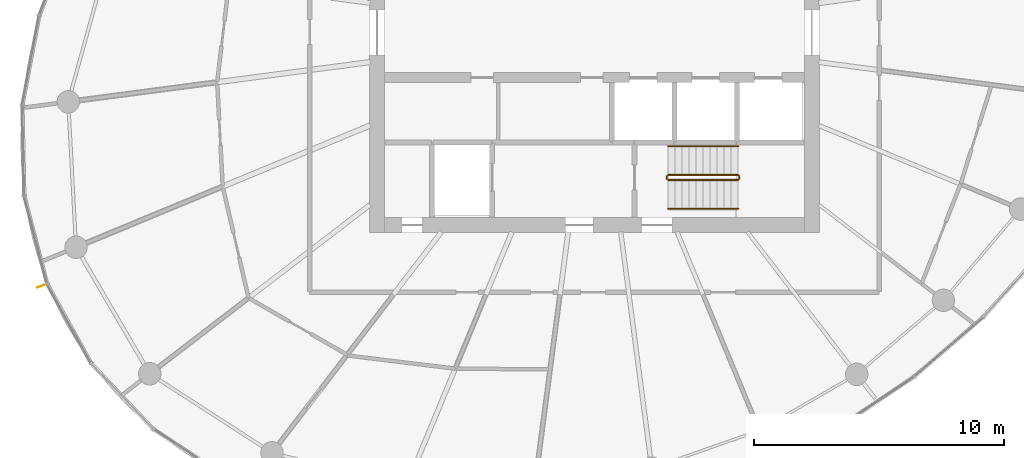
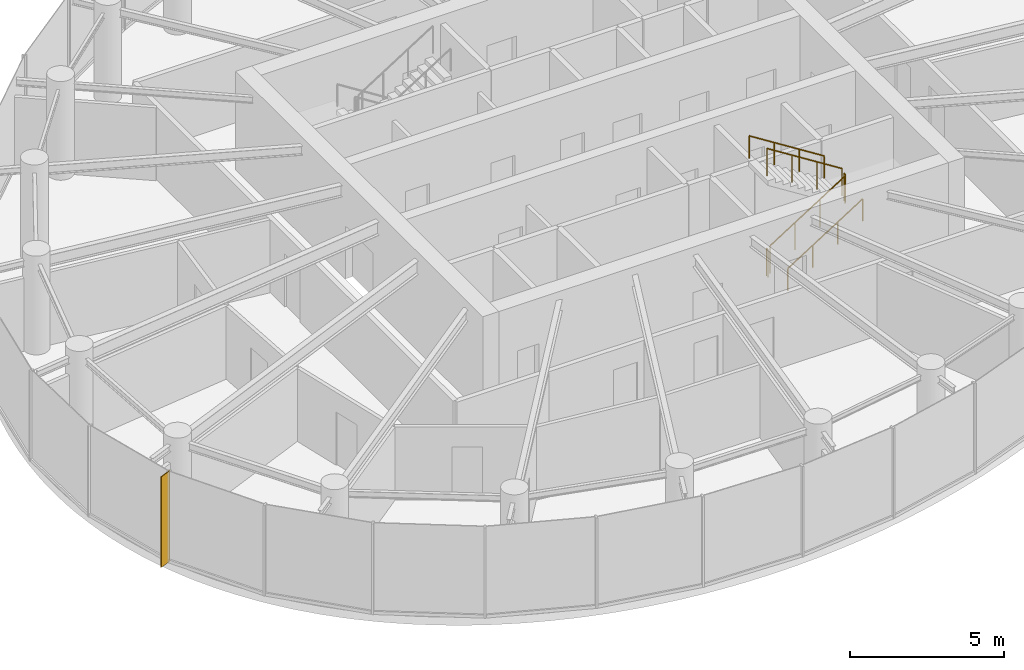
# One storey, part 12 of 13: 6 railings, 1 shading device.
"""IFC4 building model written with IfcOpenShell, lengths in metres."""

from ifc_helpers import new_model, si_unit, direction, frame, origin, origin_2d, place, context, subcontext, project, spatial, rectangle, circle, extrude, source, transform, mapped, material, material_profile, profile_set, type_object, element, save


model = new_model("IFC4")

# Units and contexts
model_context = context("Model", 3, precision=1e-05, world=origin(), true_north=direction((0.0, 1.0)))
body_context = subcontext(model_context, "Body", "Model", "MODEL_VIEW")
ifc_project = project(units=[si_unit("LENGTHUNIT", "METRE"), si_unit("AREAUNIT", "SQUARE_METRE"), si_unit("VOLUMEUNIT", "CUBIC_METRE"), si_unit("PLANEANGLEUNIT", "RADIAN"), si_unit("MASSUNIT", "GRAM", prefix="KILO")], contexts=[model_context])

# Site, building, storey
site_placement = place(None, origin())
site = spatial("IfcSite", under=ifc_project, at=site_placement, CompositionType="ELEMENT")
building_placement = place(site_placement, origin())
building = spatial("IfcBuilding", under=site, at=building_placement, Name="Spindrift Exchange Tower", CompositionType="ELEMENT")
storey_placement = place(building_placement, frame((0.0, 0.0, 218.89990234375)))
storey = spatial("IfcBuildingStorey", under=building, at=storey_placement, Name="L53", CompositionType="ELEMENT", Elevation=218.89990234375)

# Railings
ifc_material_1 = material(Name="Steel balustrade", Category="steel")
railing_type_1 = type_object("IfcRailingType", Name="RL-STAIR-GUARD", PredefinedType="GUARDRAIL", material=ifc_material_1)
railing_1_placement = place(storey_placement, frame((54.949951171875, 42.10009765625, 0.177490234375)))
element("IfcRailing", 1, at=railing_1_placement, inside=storey, type_object=railing_type_1, Name="L53 ST2 stair guard 1", PredefinedType="GUARDRAIL", context=body_context, shape_type="SweptSolid", body=[
    extrude(circle(Radius=0.02392578125, at=origin_2d()), frame((0.0, 0.0, 1.076171875), z_axis=(0.844908973607, 0.0, 0.534910110503), x_axis=(0.0, 1.0, 0.0)), (0.0, 0.0, 1.0), 3.31396484375),
    extrude(circle(Radius=0.02099609375, at=origin_2d()), origin(), (0.0, 0.0, 1.0), 1.052001953125),
    extrude(circle(Radius=0.02099609375, at=origin_2d()), frame((0.933349609375, 0.0, 0.5908203125)), (0.0, 0.0, 1.0), 1.052001953125),
    extrude(circle(Radius=0.02099609375, at=origin_2d()), frame((1.86669921875, 0.0, 1.181884765625)), (0.0, 0.0, 1.0), 1.052001953125),
    extrude(circle(Radius=0.02099609375, at=origin_2d()), frame((2.800048828125, 0.0, 1.772705078125)), (0.0, 0.0, 1.0), 1.052001953125),
])
railing_2_placement = place(storey_placement, frame((57.800048828125, 42.14990234375, 1.9501953125)))
element("IfcRailing", 2, at=railing_2_placement, inside=storey, type_object=railing_type_1, Name="L53 ST2 stair guard 2", PredefinedType="GUARDRAIL", context=body_context, shape_type="SweptSolid", body=[
    extrude(circle(Radius=0.02392578125, at=origin_2d()), frame((0.0, 0.0, 1.076171875), z_axis=(0.0, 1.0, 0.0), x_axis=(-1.0, 0.0, 0.0)), (0.0, 0.0, 1.0), 0.10009765625),
    extrude(circle(Radius=0.02099609375, at=origin_2d()), origin(), (0.0, 0.0, 1.0), 1.052001953125),
    extrude(circle(Radius=0.02099609375, at=origin_2d()), frame((0.0, 0.10009765625, 0.0)), (0.0, 0.0, 1.0), 1.052001953125),
])
railing_3_placement = place(storey_placement, frame((57.75, 42.300048828125, 2.12744140625)))
element("IfcRailing", 3, at=railing_3_placement, inside=storey, type_object=railing_type_1, Name="L53 ST2 stair guard 3", PredefinedType="GUARDRAIL", context=body_context, shape_type="SweptSolid", body=[
    extrude(circle(Radius=0.02392578125, at=origin_2d()), frame((0.0, 0.0, 1.076171875), z_axis=(-0.844908973607, 0.0, 0.534910110503), x_axis=(0.0, -1.0, 0.0)), (0.0, 0.0, 1.0), 3.31396484375),
    extrude(circle(Radius=0.02099609375, at=origin_2d()), origin(), (0.0, 0.0, 1.0), 1.052001953125),
    extrude(circle(Radius=0.02099609375, at=origin_2d()), frame((-0.933349609375, 0.0, 0.5908203125)), (0.0, 0.0, 1.0), 1.052001953125),
    extrude(circle(Radius=0.02099609375, at=origin_2d()), frame((-1.86669921875, 0.0, 1.181884765625)), (0.0, 0.0, 1.0), 1.052001953125),
    extrude(circle(Radius=0.02099609375, at=origin_2d()), frame((-2.800048828125, 0.0, 1.772705078125)), (0.0, 0.0, 1.0), 1.052001953125),
])
railing_4_placement = place(storey_placement, frame((54.89990234375, 42.14990234375, 0.0)))
element("IfcRailing", 4, at=railing_4_placement, inside=storey, type_object=railing_type_1, Name="L53 ST2 stair guard 4", PredefinedType="GUARDRAIL", context=body_context, shape_type="SweptSolid", body=[
    extrude(circle(Radius=0.02392578125, at=origin_2d()), frame((0.0, 0.0, 1.076171875), z_axis=(0.0, 1.0, 0.0), x_axis=(-1.0, 0.0, 0.0)), (0.0, 0.0, 1.0), 0.10009765625),
    extrude(circle(Radius=0.02099609375, at=origin_2d()), origin(), (0.0, 0.0, 1.0), 1.052001953125),
    extrude(circle(Radius=0.02099609375, at=origin_2d()), frame((0.0, 0.10009765625, 0.0)), (0.0, 0.0, 1.0), 1.052001953125),
])
ifc_material_2 = material(Name="Steel tubular handrail", Category="steel")
railing_type_2 = type_object("IfcRailingType", Name="RL-STAIR-HAND", PredefinedType="HANDRAIL", material=ifc_material_2)
railing_5_placement = place(storey_placement, frame((54.949951171875, 40.949951171875, 0.177490234375)))
element("IfcRailing", 5, at=railing_5_placement, inside=storey, type_object=railing_type_2, Name="L53 ST2 stair handrail 1", PredefinedType="HANDRAIL", context=body_context, shape_type="SweptSolid", body=[
    extrude(circle(Radius=0.02392578125, at=origin_2d()), frame((0.0, 0.0, 0.8759765625), z_axis=(0.844908973607, 0.0, 0.534910110503), x_axis=(0.0, 1.0, 0.0)), (0.0, 0.0, 1.0), 3.31396484375),
    extrude(circle(Radius=0.02099609375, at=origin_2d()), origin(), (0.0, 0.0, 1.0), 0.851806640625),
    extrude(circle(Radius=0.02099609375, at=origin_2d()), frame((0.933349609375, 0.0, 0.5908203125)), (0.0, 0.0, 1.0), 0.851806640625),
    extrude(circle(Radius=0.02099609375, at=origin_2d()), frame((1.86669921875, 0.0, 1.181884765625)), (0.0, 0.0, 1.0), 0.851806640625),
    extrude(circle(Radius=0.02099609375, at=origin_2d()), frame((2.800048828125, 0.0, 1.772705078125)), (0.0, 0.0, 1.0), 0.851806640625),
])
railing_6_placement = place(storey_placement, frame((57.75, 43.449951171875, 2.12744140625)))
element("IfcRailing", 6, at=railing_6_placement, inside=storey, type_object=railing_type_2, Name="L53 ST2 stair handrail 2", PredefinedType="HANDRAIL", context=body_context, shape_type="SweptSolid", body=[
    extrude(circle(Radius=0.02392578125, at=origin_2d()), frame((0.0, 0.0, 0.8759765625), z_axis=(-0.844908973607, 0.0, 0.534910110503), x_axis=(0.0, -1.0, 0.0)), (0.0, 0.0, 1.0), 3.31396484375),
    extrude(circle(Radius=0.02099609375, at=origin_2d()), origin(), (0.0, 0.0, 1.0), 0.851806640625),
    extrude(circle(Radius=0.02099609375, at=origin_2d()), frame((-0.933349609375, 0.0, 0.5908203125)), (0.0, 0.0, 1.0), 0.851806640625),
    extrude(circle(Radius=0.02099609375, at=origin_2d()), frame((-1.86669921875, 0.0, 1.181884765625)), (0.0, 0.0, 1.0), 0.851806640625),
    extrude(circle(Radius=0.02099609375, at=origin_2d()), frame((-2.800048828125, 0.0, 1.772705078125)), (0.0, 0.0, 1.0), 0.851806640625),
])

# Shading device
ifc_material_3 = material(Name="Bronze anodised aluminium", Category="aluminium")
ifc_material_profile = material_profile(ifc_material_3, rectangle(XDim=0.030029296875, YDim=0.449951171875, at=origin_2d()), Name="WIND FIN 30X450")
ifc_profile_set = profile_set([ifc_material_profile], Name="Bronze anodised aluminium")
shading_device_type = type_object("IfcShadingDeviceType", Name="WIND FIN 30X450", PredefinedType="USERDEFINED", material=ifc_profile_set)
shared_shape = source(origin(), body_context, "Body", "SweptSolid", [
    extrude(rectangle(XDim=0.030029296875, YDim=0.449951171875, at=origin_2d()), origin(), (0.0, 0.0, 1.0), 3.580078125),
])
shading_device_placement = place(storey_placement, frame((29.90234375, 37.8720703125, 0.0), z_axis=(0.0, 0.0, 1.0), x_axis=(0.371051813921, -0.928612164138, 0.0)))
element("IfcShadingDevice", 7, at=shading_device_placement, inside=storey, type_object=shading_device_type, Name="L53 wind fin 1", ObjectType="FIN", PredefinedType="USERDEFINED", context=body_context, shape_type="MappedRepresentation", body=[
    mapped(shared_shape, transform((0.0, 0.0, 0.0), scale=1.0)),
])

save(model, "model.ifc")
